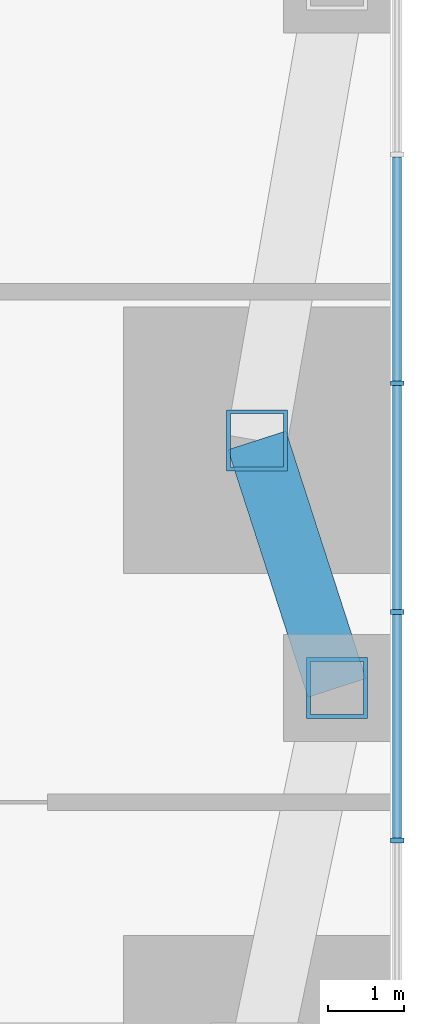
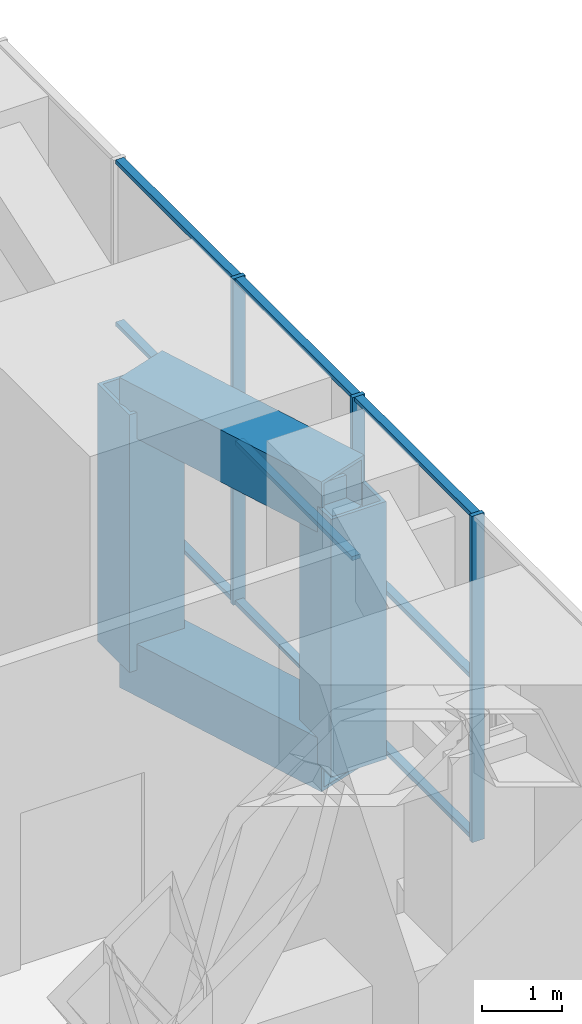
# One storey, part 6 of 13: 16 members, 1 element without a shape of its own.
"""IFC4 building model written with IfcOpenShell, lengths in metres."""

from ifc_helpers import new_model, si_unit, direction, frame, origin, origin_2d, place, context, subcontext, project, spatial, rectangle, hollow_rectangle, extrude, material, material_profile, profile_set, type_object, element, aggregate, save


model = new_model("IFC4")

# Units and contexts
model_context = context("Model", 3, precision=1e-05, world=origin(), true_north=direction((0.0, 1.0)))
body_context = subcontext(model_context, "Body", "Model", "MODEL_VIEW")
ifc_project = project(units=[si_unit("LENGTHUNIT", "METRE"), si_unit("AREAUNIT", "SQUARE_METRE"), si_unit("VOLUMEUNIT", "CUBIC_METRE"), si_unit("PLANEANGLEUNIT", "RADIAN"), si_unit("MASSUNIT", "GRAM", prefix="KILO")], contexts=[model_context])

# Site, building, storey
site_placement = place(None, origin())
site = spatial("IfcSite", under=ifc_project, at=site_placement, CompositionType="ELEMENT")
building_placement = place(site_placement, origin())
building = spatial("IfcBuilding", under=site, at=building_placement, Name="Svetlomir Tower", CompositionType="ELEMENT")
storey_placement = place(building_placement, frame((0.0, 0.0, 86.5)))
storey = spatial("IfcBuildingStorey", under=building, at=storey_placement, Name="L20", CompositionType="ELEMENT", Elevation=86.5)

# Members
ifc_material_1 = material(Name="Steel S355", Category="steel")
ifc_material_profile_1 = material_profile(ifc_material_1, hollow_rectangle(XDim=0.800048828125, YDim=0.800048828125, WallThickness=0.050048828125, at=origin_2d()), Name="BOX 800x800x50")
ifc_profile_set_1 = profile_set([ifc_material_profile_1], Name="Steel S355")
member_type_1 = type_object("IfcMemberType", Name="BELT FRAME CHORD BOX 800x800x50", PredefinedType="CHORD", material=ifc_profile_set_1)
for number, where, z_axis, x_axis, name in (
    (1, (41.300048828125, 26.0, 0.39990234375), (-0.307443428225, 0.951566360503, 0.0), (-0.951566360503, -0.307443428225, 0.0), "Belt frame E L20 bottom chord 5"),
    (2, (41.300048828125, 26.0, 4.35009765625), (-0.307443428225, 0.951566360503, 0.0), (-0.951566360503, -0.307443428225, 0.0), "Belt frame E L20 top chord 5"),
):
    element("IfcMember", number, at=place(storey_placement, frame(where, z_axis=z_axis, x_axis=x_axis)), inside=storey, type_object=member_type_1, Name=name, PredefinedType="CHORD", context=body_context, shape_type="SweptSolid", body=[
        extrude(hollow_rectangle(XDim=0.800048828125, YDim=0.800048828125, WallThickness=0.050048828125, at=origin_2d()), origin(), (0.0, 0.0, 1.0), 3.41552734375),
    ])
ifc_material_2 = material(Name="Steel S355", Category="steel")
ifc_material_profile_2 = material_profile(ifc_material_2, hollow_rectangle(XDim=0.800048828125, YDim=0.800048828125, WallThickness=0.050048828125, at=origin_2d()), Name="BOX 800x800x50")
ifc_profile_set_2 = profile_set([ifc_material_profile_2], Name="Steel S355")
member_type_2 = type_object("IfcMemberType", Name="BELT FRAME POST BOX 800x800x50", PredefinedType="POST", material=ifc_profile_set_2)
for number, where, z_axis, x_axis, name in (
    (3, (41.300048828125, 26.0, 0.39990234375), (0.0, 0.0, 1.0), (1.0, 0.0, 0.0), "Belt frame E L20 post 5"),
    (4, (40.25, 29.25, 0.39990234375), (0.0, 0.0, 1.0), (1.0, 0.0, 0.0), "Belt frame E L20 post 6"),
):
    element("IfcMember", number, at=place(storey_placement, frame(where, z_axis=z_axis, x_axis=x_axis)), inside=storey, type_object=member_type_2, Name=name, PredefinedType="POST", context=body_context, shape_type="SweptSolid", body=[
        extrude(hollow_rectangle(XDim=0.800048828125, YDim=0.800048828125, WallThickness=0.050048828125, at=origin_2d()), origin(), (0.0, 0.0, 1.0), 3.9501953125),
    ])

# Curtain wall, members
ifc_material_3 = material(Name="Bronze anodised aluminium curtain wall", Category="aluminium")
curtain_wall_type = type_object("IfcCurtainWallType", Name="CURTAIN WALL CW3 PLANT LOUVRE", PredefinedType="NOTDEFINED", material=ifc_material_3)
curtain_wall_placement = place(storey_placement, origin())
curtain_wall = element("IfcCurtainWall", 5, at=curtain_wall_placement, inside=storey, type_object=curtain_wall_type, Name="Curtain wall CW3 L20", PredefinedType="NOTDEFINED")
ifc_material_4 = material(Name="Bronze anodised aluminium", Category="aluminium")
ifc_material_profile_3 = material_profile(ifc_material_4, rectangle(XDim=0.06494140625, YDim=0.179931640625, at=origin_2d()), Name="AL 65x180")
ifc_profile_set_3 = profile_set([ifc_material_profile_3], Name="Bronze anodised aluminium 6063-T6")
member_type_3 = type_object("IfcMemberType", Name="CW3 MULLION 65x180", PredefinedType="MULLION", material=ifc_profile_set_3)
member_1_placement = place(storey_placement, frame((42.090087890625, 24.0, 0.0), z_axis=(0.0, 0.0, 1.0), x_axis=(0.0, 1.0, 0.0)))
member_1 = element("IfcMember", 6, at=member_1_placement, type_object=member_type_3, Name="CW3 mullion 7", PredefinedType="MULLION", context=body_context, shape_type="SweptSolid", body=[
    extrude(rectangle(XDim=0.06494140625, YDim=0.179931640625, at=origin_2d()), origin(), (0.0, 0.0, 1.0), 5.0),
])
member_2_placement = place(storey_placement, frame((42.090087890625, 27.0, 0.0), z_axis=(0.0, 0.0, 1.0), x_axis=(0.0, 1.0, 0.0)))
member_2 = element("IfcMember", 7, at=member_2_placement, type_object=member_type_3, Name="CW3 mullion 8", PredefinedType="MULLION", context=body_context, shape_type="SweptSolid", body=[
    extrude(rectangle(XDim=0.06494140625, YDim=0.179931640625, at=origin_2d()), origin(), (0.0, 0.0, 1.0), 5.0),
])
member_3_placement = place(storey_placement, frame((42.090087890625, 30.0, 0.0), z_axis=(0.0, 0.0, 1.0), x_axis=(0.0, 1.0, 0.0)))
member_3 = element("IfcMember", 8, at=member_3_placement, type_object=member_type_3, Name="CW3 mullion 9", PredefinedType="MULLION", context=body_context, shape_type="SweptSolid", body=[
    extrude(rectangle(XDim=0.06494140625, YDim=0.179931640625, at=origin_2d()), origin(), (0.0, 0.0, 1.0), 5.0),
])
ifc_material_5 = material(Name="Bronze anodised aluminium", Category="aluminium")
ifc_material_profile_4 = material_profile(ifc_material_5, rectangle(XDim=0.1201171875, YDim=0.06494140625, at=origin_2d()), Name="AL 120x65")
ifc_profile_set_4 = profile_set([ifc_material_profile_4], Name="Bronze anodised aluminium 6063-T6")
member_type_4 = type_object("IfcMemberType", Name="CW3 TRANSOM 65x120", PredefinedType="USERDEFINED", material=ifc_profile_set_4)
member_4_placement = place(storey_placement, frame((42.090087890625, 24.032470703125, 0.032470703125), z_axis=(0.0, 1.0, 0.0), x_axis=(-1.0, 0.0, 0.0)))
member_4 = element("IfcMember", 9, at=member_4_placement, type_object=member_type_4, Name="CW3 transom 7.1", ObjectType="TRANSOM", PredefinedType="USERDEFINED", context=body_context, shape_type="SweptSolid", body=[
    extrude(rectangle(XDim=0.1201171875, YDim=0.06494140625, at=origin_2d()), origin(), (0.0, 0.0, 1.0), 2.93505859375),
])
member_5_placement = place(storey_placement, frame((42.090087890625, 24.032470703125, 2.48388671875), z_axis=(0.0, 1.0, 0.0), x_axis=(-1.0, 0.0, 0.0)))
member_5 = element("IfcMember", 10, at=member_5_placement, type_object=member_type_4, Name="CW3 transom 7.2", ObjectType="TRANSOM", PredefinedType="USERDEFINED", context=body_context, shape_type="SweptSolid", body=[
    extrude(rectangle(XDim=0.1201171875, YDim=0.06494140625, at=origin_2d()), origin(), (0.0, 0.0, 1.0), 2.93505859375),
])
member_6_placement = place(storey_placement, frame((42.090087890625, 24.032470703125, 4.967529296875), z_axis=(0.0, 1.0, 0.0), x_axis=(-1.0, 0.0, 0.0)))
member_6 = element("IfcMember", 11, at=member_6_placement, type_object=member_type_4, Name="CW3 transom 7.3", ObjectType="TRANSOM", PredefinedType="USERDEFINED", context=body_context, shape_type="SweptSolid", body=[
    extrude(rectangle(XDim=0.1201171875, YDim=0.06494140625, at=origin_2d()), origin(), (0.0, 0.0, 1.0), 2.93505859375),
])
member_7_placement = place(storey_placement, frame((42.090087890625, 27.032470703125, 0.032470703125), z_axis=(0.0, 1.0, 0.0), x_axis=(-1.0, 0.0, 0.0)))
member_7 = element("IfcMember", 12, at=member_7_placement, type_object=member_type_4, Name="CW3 transom 8.1", ObjectType="TRANSOM", PredefinedType="USERDEFINED", context=body_context, shape_type="SweptSolid", body=[
    extrude(rectangle(XDim=0.1201171875, YDim=0.06494140625, at=origin_2d()), origin(), (0.0, 0.0, 1.0), 2.93505859375),
])
member_8_placement = place(storey_placement, frame((42.090087890625, 27.032470703125, 2.48388671875), z_axis=(0.0, 1.0, 0.0), x_axis=(-1.0, 0.0, 0.0)))
member_8 = element("IfcMember", 13, at=member_8_placement, type_object=member_type_4, Name="CW3 transom 8.2", ObjectType="TRANSOM", PredefinedType="USERDEFINED", context=body_context, shape_type="SweptSolid", body=[
    extrude(rectangle(XDim=0.1201171875, YDim=0.06494140625, at=origin_2d()), origin(), (0.0, 0.0, 1.0), 2.93505859375),
])
member_9_placement = place(storey_placement, frame((42.090087890625, 27.032470703125, 4.967529296875), z_axis=(0.0, 1.0, 0.0), x_axis=(-1.0, 0.0, 0.0)))
member_9 = element("IfcMember", 14, at=member_9_placement, type_object=member_type_4, Name="CW3 transom 8.3", ObjectType="TRANSOM", PredefinedType="USERDEFINED", context=body_context, shape_type="SweptSolid", body=[
    extrude(rectangle(XDim=0.1201171875, YDim=0.06494140625, at=origin_2d()), origin(), (0.0, 0.0, 1.0), 2.93505859375),
])
member_10_placement = place(storey_placement, frame((42.090087890625, 30.032470703125, 0.032470703125), z_axis=(0.0, 1.0, 0.0), x_axis=(-1.0, 0.0, 0.0)))
member_10 = element("IfcMember", 15, at=member_10_placement, type_object=member_type_4, Name="CW3 transom 9.1", ObjectType="TRANSOM", PredefinedType="USERDEFINED", context=body_context, shape_type="SweptSolid", body=[
    extrude(rectangle(XDim=0.1201171875, YDim=0.06494140625, at=origin_2d()), origin(), (0.0, 0.0, 1.0), 2.93505859375),
])
member_11_placement = place(storey_placement, frame((42.090087890625, 30.032470703125, 2.48388671875), z_axis=(0.0, 1.0, 0.0), x_axis=(-1.0, 0.0, 0.0)))
member_11 = element("IfcMember", 16, at=member_11_placement, type_object=member_type_4, Name="CW3 transom 9.2", ObjectType="TRANSOM", PredefinedType="USERDEFINED", context=body_context, shape_type="SweptSolid", body=[
    extrude(rectangle(XDim=0.1201171875, YDim=0.06494140625, at=origin_2d()), origin(), (0.0, 0.0, 1.0), 2.93505859375),
])
member_12_placement = place(storey_placement, frame((42.090087890625, 30.032470703125, 4.967529296875), z_axis=(0.0, 1.0, 0.0), x_axis=(-1.0, 0.0, 0.0)))
member_12 = element("IfcMember", 17, at=member_12_placement, type_object=member_type_4, Name="CW3 transom 9.3", ObjectType="TRANSOM", PredefinedType="USERDEFINED", context=body_context, shape_type="SweptSolid", body=[
    extrude(rectangle(XDim=0.1201171875, YDim=0.06494140625, at=origin_2d()), origin(), (0.0, 0.0, 1.0), 2.93505859375),
])
aggregate(curtain_wall, [member_1, member_2, member_3, member_4, member_5, member_6, member_7, member_8, member_9, member_10, member_11, member_12])

save(model, "model.ifc")
